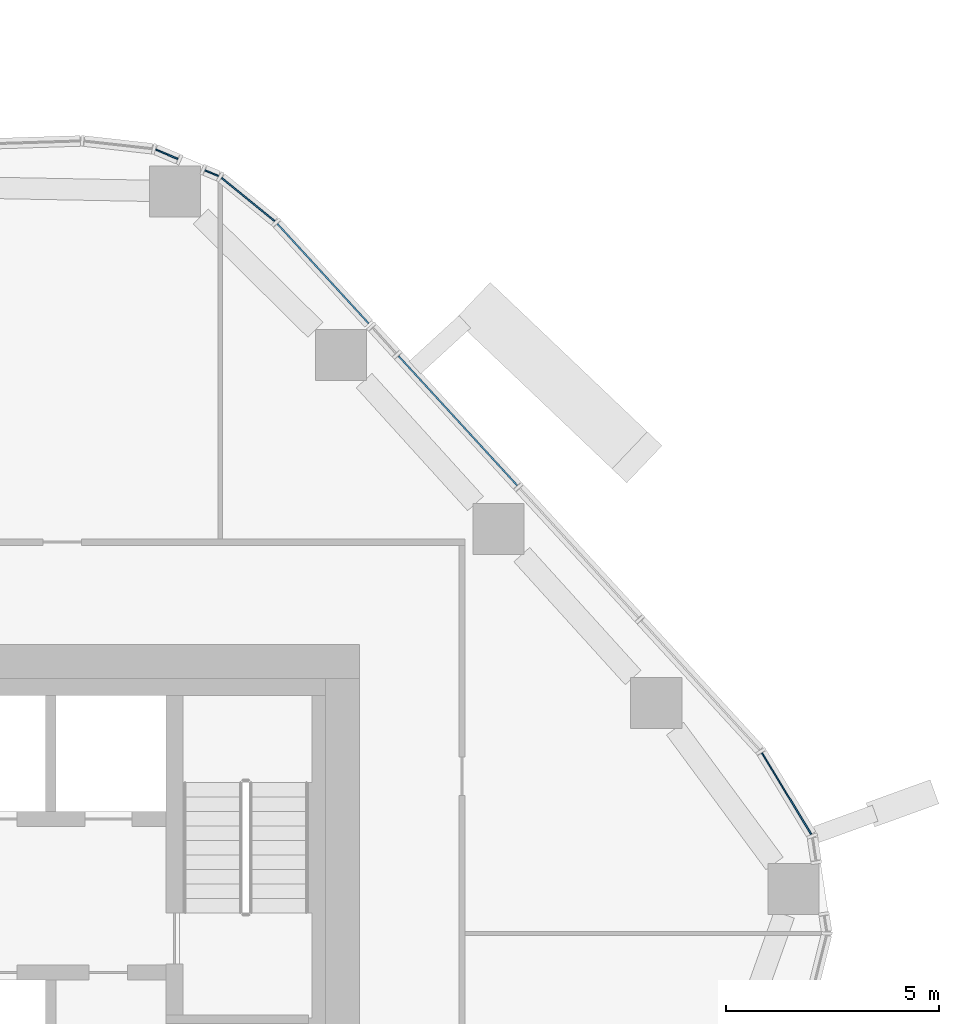
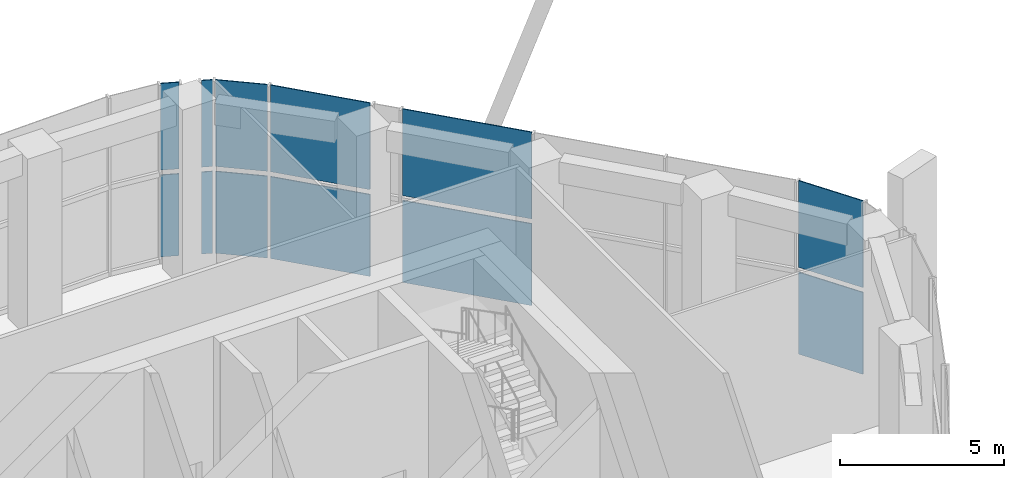
# One storey, part 11 of 20: 12 plates, 5 elements without a shape of their own.
"""IFC4 building model written with IfcOpenShell, lengths in metres."""

from ifc_helpers import new_model, si_unit, direction, frame, origin, origin_2d, place, context, subcontext, project, spatial, rectangle, extrude, material, layer, layer_set, type_object, element, aggregate, save


model = new_model("IFC4")

# Units and contexts
model_context = context("Model", 3, precision=1e-05, world=origin(), true_north=direction((0.0, 1.0)))
body_context = subcontext(model_context, "Body", "Model", "MODEL_VIEW")
ifc_project = project(units=[si_unit("LENGTHUNIT", "METRE"), si_unit("AREAUNIT", "SQUARE_METRE"), si_unit("VOLUMEUNIT", "CUBIC_METRE"), si_unit("PLANEANGLEUNIT", "RADIAN"), si_unit("MASSUNIT", "GRAM", prefix="KILO")], contexts=[model_context])

# Site, building, storey
site_placement = place(None, origin())
site = spatial("IfcSite", under=ifc_project, at=site_placement, CompositionType="ELEMENT")
building_placement = place(site_placement, origin())
building = spatial("IfcBuilding", under=site, at=building_placement, Name="Dongbaek Canopy Tower", CompositionType="ELEMENT")
storey_placement = place(building_placement, frame((0.0, 0.0, 151.60009765625)))
storey = spatial("IfcBuildingStorey", under=building, at=storey_placement, Name="L33", CompositionType="ELEMENT", Elevation=151.60009765625)

# Curtain wall, plates
ifc_material_1 = material(Name="Aluminium 6063-T6 pale anodised", Category="aluminium")
ifc_layer_1 = layer(ifc_material_1, 0.25)
ifc_layer_set_1 = layer_set([ifc_layer_1], Name="CW-4 sky-lobby curtain wall")
curtain_wall_type = type_object("IfcCurtainWallType", Name="CW-4 sky-lobby curtain wall", PredefinedType="NOTDEFINED", material=ifc_layer_set_1)
curtain_wall_1_placement = place(storey_placement, origin())
curtain_wall_1 = element("IfcCurtainWall", 1, at=curtain_wall_1_placement, inside=storey, type_object=curtain_wall_type, Name="CW-4 curtain wall K0.1b", PredefinedType="NOTDEFINED")
ifc_material_2 = material(Name="Clear laminated glass", Category="glass")
ifc_layer_2 = layer(ifc_material_2, 0.035888671875)
ifc_layer_set_2 = layer_set([ifc_layer_2], Name="CW-4 glazed panel 36")
plate_type = type_object("IfcPlateType", Name="CW-4 glazed panel 36", PredefinedType="CURTAIN_PANEL", material=ifc_layer_set_2)
plate_1_placement = place(storey_placement, frame((24.019775390625, 7.49560546875, 0.179931640625), z_axis=(0.0, 0.0, 1.0), x_axis=(-0.518086845243, 0.855328019409, 0.0)))
plate_1 = element("IfcPlate", 2, at=plate_1_placement, type_object=plate_type, Name="CW-4 panel K0.1b.2.1", PredefinedType="CURTAIN_PANEL", context=body_context, shape_type="SweptSolid", body=[
    extrude(rectangle(XDim=2.229248046875, YDim=0.035888671875, at=origin_2d()), origin(), (0.0, 0.0, 1.0), 3.0400390625),
])
plate_2_placement = place(storey_placement, frame((24.019775390625, 7.49560546875, 3.39990234375), z_axis=(0.0, 0.0, 1.0), x_axis=(-0.518086845243, 0.855328019409, 0.0)))
plate_2 = element("IfcPlate", 3, at=plate_2_placement, type_object=plate_type, Name="CW-4 panel K0.1b.2.2", PredefinedType="CURTAIN_PANEL", context=body_context, shape_type="SweptSolid", body=[
    extrude(rectangle(XDim=2.229248046875, YDim=0.035888671875, at=origin_2d()), origin(), (0.0, 0.0, 1.0), 3.219970703125),
])
aggregate(curtain_wall_1, [plate_1, plate_2])

curtain_wall_2_placement = place(storey_placement, origin())
curtain_wall_2 = element("IfcCurtainWall", 4, at=curtain_wall_2_placement, inside=storey, type_object=curtain_wall_type, Name="CW-4 curtain wall F0.1a", PredefinedType="NOTDEFINED")
plate_3_placement = place(storey_placement, frame((16.3037109375, 16.249267578125, 0.179931640625), z_axis=(0.0, 0.0, 1.0), x_axis=(-0.675756226876, 0.737125173792, 0.0)))
plate_3 = element("IfcPlate", 5, at=plate_3_placement, type_object=plate_type, Name="CW-4 panel F0.1a.3.1", PredefinedType="CURTAIN_PANEL", context=body_context, shape_type="SweptSolid", body=[
    extrude(rectangle(XDim=4.12109375, YDim=0.035888671875, at=origin_2d()), origin(), (0.0, 0.0, 1.0), 3.0400390625),
])
plate_4_placement = place(storey_placement, frame((16.3037109375, 16.249267578125, 3.39990234375), z_axis=(0.0, 0.0, 1.0), x_axis=(-0.675756226876, 0.737125173792, 0.0)))
plate_4 = element("IfcPlate", 6, at=plate_4_placement, type_object=plate_type, Name="CW-4 panel F0.1a.3.2", PredefinedType="CURTAIN_PANEL", context=body_context, shape_type="SweptSolid", body=[
    extrude(rectangle(XDim=4.12109375, YDim=0.035888671875, at=origin_2d()), origin(), (0.0, 0.0, 1.0), 3.219970703125),
])
aggregate(curtain_wall_2, [plate_3, plate_4])

curtain_wall_3_placement = place(storey_placement, origin())
curtain_wall_3 = element("IfcCurtainWall", 7, at=curtain_wall_3_placement, inside=storey, type_object=curtain_wall_type, Name="CW-4 curtain wall F0.1b", PredefinedType="NOTDEFINED")
plate_5_placement = place(storey_placement, frame((13.1396484375, 19.70068359375, 0.179931640625), z_axis=(0.0, 0.0, 1.0), x_axis=(-0.675756226876, 0.737125173792, 0.0)))
plate_5 = element("IfcPlate", 8, at=plate_5_placement, type_object=plate_type, Name="CW-4 panel F0.1b.1.1", PredefinedType="CURTAIN_PANEL", context=body_context, shape_type="SweptSolid", body=[
    extrude(rectangle(XDim=3.172607421875, YDim=0.035888671875, at=origin_2d()), origin(), (0.0, 0.0, 1.0), 3.0400390625),
])
plate_6_placement = place(storey_placement, frame((13.1396484375, 19.70068359375, 3.39990234375), z_axis=(0.0, 0.0, 1.0), x_axis=(-0.675756226876, 0.737125173792, 0.0)))
plate_6 = element("IfcPlate", 9, at=plate_6_placement, type_object=plate_type, Name="CW-4 panel F0.1b.1.2", PredefinedType="CURTAIN_PANEL", context=body_context, shape_type="SweptSolid", body=[
    extrude(rectangle(XDim=3.172607421875, YDim=0.035888671875, at=origin_2d()), origin(), (0.0, 0.0, 1.0), 3.219970703125),
])
aggregate(curtain_wall_3, [plate_5, plate_6])

curtain_wall_4_placement = place(storey_placement, origin())
curtain_wall_4 = element("IfcCurtainWall", 10, at=curtain_wall_4_placement, inside=storey, type_object=curtain_wall_type, Name="CW-4 curtain wall K1.1a", PredefinedType="NOTDEFINED")
plate_7_placement = place(storey_placement, frame((11.38037109375, 21.440673828125, 0.179931640625), z_axis=(0.0, 0.0, 1.0), x_axis=(-0.774191502214, 0.632951434077, 0.0)))
plate_7 = element("IfcPlate", 11, at=plate_7_placement, type_object=plate_type, Name="CW-4 panel K1.1a.1.1", PredefinedType="CURTAIN_PANEL", context=body_context, shape_type="SweptSolid", body=[
    extrude(rectangle(XDim=1.599853515625, YDim=0.035888671875, at=origin_2d()), origin(), (0.0, 0.0, 1.0), 3.0400390625),
])
plate_8_placement = place(storey_placement, frame((11.38037109375, 21.440673828125, 3.39990234375), z_axis=(0.0, 0.0, 1.0), x_axis=(-0.774191502214, 0.632951434077, 0.0)))
plate_8 = element("IfcPlate", 12, at=plate_8_placement, type_object=plate_type, Name="CW-4 panel K1.1a.1.2", PredefinedType="CURTAIN_PANEL", context=body_context, shape_type="SweptSolid", body=[
    extrude(rectangle(XDim=1.599853515625, YDim=0.035888671875, at=origin_2d()), origin(), (0.0, 0.0, 1.0), 3.219970703125),
])
plate_9_placement = place(storey_placement, frame((10.525390625, 22.060546875, 0.179931640625), z_axis=(0.0, 0.0, 1.0), x_axis=(-0.921657143372, 0.388005296448, 0.0)))
plate_9 = element("IfcPlate", 13, at=plate_9_placement, type_object=plate_type, Name="CW-4 panel K1.1a.2.1", PredefinedType="CURTAIN_PANEL", context=body_context, shape_type="SweptSolid", body=[
    extrude(rectangle(XDim=0.33837890625, YDim=0.035888671875, at=origin_2d()), origin(), (0.0, 0.0, 1.0), 3.0400390625),
])
plate_10_placement = place(storey_placement, frame((10.525390625, 22.060546875, 3.39990234375), z_axis=(0.0, 0.0, 1.0), x_axis=(-0.921657143372, 0.388005296448, 0.0)))
plate_10 = element("IfcPlate", 14, at=plate_10_placement, type_object=plate_type, Name="CW-4 panel K1.1a.2.2", PredefinedType="CURTAIN_PANEL", context=body_context, shape_type="SweptSolid", body=[
    extrude(rectangle(XDim=0.33837890625, YDim=0.035888671875, at=origin_2d()), origin(), (0.0, 0.0, 1.0), 3.219970703125),
])
aggregate(curtain_wall_4, [plate_7, plate_8, plate_9, plate_10])

curtain_wall_5_placement = place(storey_placement, origin())
curtain_wall_5 = element("IfcCurtainWall", 15, at=curtain_wall_5_placement, inside=storey, type_object=curtain_wall_type, Name="CW-4 curtain wall K1.1b", PredefinedType="NOTDEFINED")
plate_11_placement = place(storey_placement, frame((9.470947265625, 22.50439453125, 0.179931640625), z_axis=(0.0, 0.0, 1.0), x_axis=(-0.921657143372, 0.388005296448, 0.0)))
plate_11 = element("IfcPlate", 16, at=plate_11_placement, type_object=plate_type, Name="CW-4 panel K1.1b.1.1", PredefinedType="CURTAIN_PANEL", context=body_context, shape_type="SweptSolid", body=[
    extrude(rectangle(XDim=0.55859375, YDim=0.035888671875, at=origin_2d()), origin(), (0.0, 0.0, 1.0), 3.0400390625),
])
plate_12_placement = place(storey_placement, frame((9.470947265625, 22.50439453125, 3.39990234375), z_axis=(0.0, 0.0, 1.0), x_axis=(-0.921657143372, 0.388005296448, 0.0)))
plate_12 = element("IfcPlate", 17, at=plate_12_placement, type_object=plate_type, Name="CW-4 panel K1.1b.1.2", PredefinedType="CURTAIN_PANEL", context=body_context, shape_type="SweptSolid", body=[
    extrude(rectangle(XDim=0.55859375, YDim=0.035888671875, at=origin_2d()), origin(), (0.0, 0.0, 1.0), 3.219970703125),
])
aggregate(curtain_wall_5, [plate_11, plate_12])

save(model, "model.ifc")
